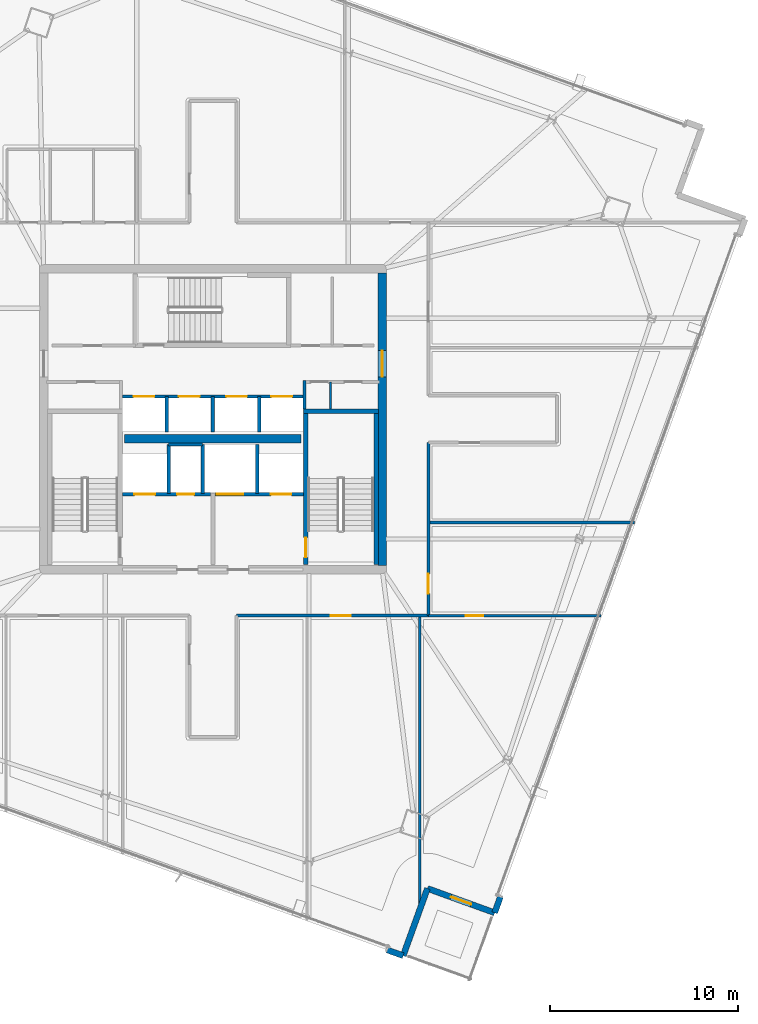
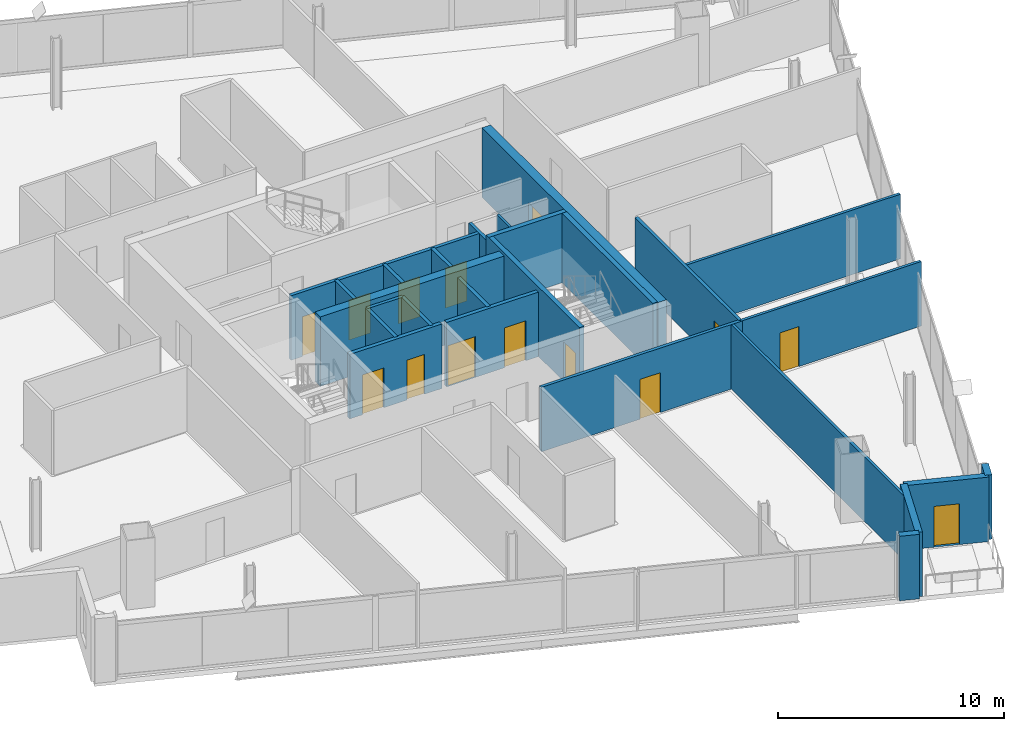
# One storey, part 20 of 27: 26 walls, 14 doors, 14 openings.
"""IFC4 building model written with IfcOpenShell, lengths in metres."""

from ifc_helpers import new_model, si_unit, direction, frame, frame_2d, origin, place, context, subcontext, project, spatial, rectangle, extrude, material, layer, layer_set, type_object, element, fill, save


model = new_model("IFC4")

# Units and contexts
model_context = context("Model", 3, precision=1e-05, world=origin(), true_north=direction((0.0, 1.0)))
body_context = subcontext(model_context, "Body", "Model", "MODEL_VIEW")
ifc_project = project(units=[si_unit("LENGTHUNIT", "METRE"), si_unit("AREAUNIT", "SQUARE_METRE"), si_unit("VOLUMEUNIT", "CUBIC_METRE"), si_unit("PLANEANGLEUNIT", "RADIAN"), si_unit("MASSUNIT", "GRAM", prefix="KILO")], contexts=[model_context])

# Site, building, storey
site_placement = place(None, origin())
site = spatial("IfcSite", under=ifc_project, at=site_placement, CompositionType="ELEMENT")
building_placement = place(site_placement, origin())
building = spatial("IfcBuilding", under=site, at=building_placement, Name="Haldenkirk Collegiate Tower", CompositionType="ELEMENT")
storey_placement = place(building_placement, frame((0.0, 0.0, 263.699951171875)))
storey = spatial("IfcBuildingStorey", under=building, at=storey_placement, Name="L66", CompositionType="ELEMENT", Elevation=263.699951171875)

# Wall, opening, door
ifc_material_1 = material(Name="Concrete f'c 55 MPa", Category="concrete")
ifc_layer_1 = layer(ifc_material_1, 0.449951171875)
ifc_layer_set_1 = layer_set([ifc_layer_1], Name="Concrete f'c 55 MPa")
wall_type_1 = type_object("IfcWallType", Name="WL-CORE-450", PredefinedType="SHEAR", material=ifc_layer_set_1)
wall_1_placement = place(storey_placement, frame((45.0, 18.22509765625, 0.0), z_axis=(0.0, 0.0, 1.0), x_axis=(0.0, 1.0, 0.0)))
wall_1 = element("IfcWall", 1, at=wall_1_placement, inside=storey, type_object=wall_type_1, Name="L66 central core shear wall E", PredefinedType="SHEAR", context=body_context, shape_type="SweptSolid", body=[
    extrude(rectangle(XDim=15.5498046875, YDim=0.449951171875, at=frame_2d((7.77490234375, 0.0))), origin(), (0.0, 0.0, 1.0), 3.75),
])
opening_1_placement = place(wall_1_placement, frame((10.014892578125, 0.0, 0.0)))
opening_1 = element("IfcOpeningElement", 2, at=opening_1_placement, cuts=wall_1, Name="Opening D-03", PredefinedType="OPENING", context=body_context, shape_type="SweptSolid", body=[
    extrude(rectangle(XDim=1.39990234375, YDim=2.199951171875, at=frame_2d((0.699951171875, 1.10009765625))), frame((0.0, 0.23486328125, 0.0), z_axis=(0.0, -1.0, 0.0), x_axis=(1.0, 0.0, 0.0)), (0.0, 0.0, 1.0), 0.469970703125),
])
ifc_material_2 = material(Name="Galvanized fire-rated hollow steel door", Category="steel")
ifc_layer_2 = layer(ifc_material_2, 0.06005859375)
ifc_layer_set_2 = layer_set([ifc_layer_2], Name="Galvanized fire-rated hollow steel door")
door_type_1 = type_object("IfcDoorType", Name="DR-LOBBY-FD90-1400", OperationType="NOTDEFINED", PredefinedType="DOOR", material=ifc_layer_set_2)
door_1_placement = place(opening_1_placement, origin())
door_1 = element("IfcDoor", 3, at=door_1_placement, inside=storey, type_object=door_type_1, Name="L66 east lift lobby portal", OperationType="DOUBLE_DOOR_SINGLE_SWING", OverallHeight=2.199951171875, OverallWidth=1.39990234375, PredefinedType="DOOR", context=body_context, shape_type="SweptSolid", body=[
    extrude(rectangle(XDim=1.39990234375, YDim=2.199951171875, at=frame_2d((0.699951171875, 1.10009765625))), frame((0.0, 0.02490234375, 0.0), z_axis=(0.0, -1.0, 0.0), x_axis=(1.0, 0.0, 0.0)), (0.0, 0.0, 1.0), 0.050048828125),
])
fill(opening_1, door_1)

# Walls
wall_2_placement = place(storey_placement, frame((31.31005859375, 24.949951171875, 0.0), z_axis=(0.0, 0.0, 1.0), x_axis=(1.0, 0.0, 0.0)))
element("IfcWall", 4, at=wall_2_placement, inside=storey, type_object=wall_type_1, Name="L66 central core spine shear wall", PredefinedType="SHEAR", context=body_context, shape_type="SweptSolid", body=[
    extrude(rectangle(XDim=9.3798828125, YDim=0.449951171875, at=frame_2d((4.68994140625, 0.0))), origin(), (0.0, 0.0, 1.0), 3.75),
])
ifc_material_3 = material(Name="Precast concrete f'c 40 MPa", Category="concrete")
ifc_layer_3 = layer(ifc_material_3, 0.320068359375)
ifc_layer_set_3 = layer_set([ifc_layer_3], Name="Precast concrete f'c 40 MPa")
wall_type_2 = type_object("IfcWallType", Name="WL-EXT-TWR-320", PredefinedType="STANDARD", material=ifc_layer_set_3)
wall_3_placement = place(storey_placement, frame((51.28369140625, 0.601318359375, 0.0), z_axis=(0.0, 0.0, 1.0), x_axis=(-0.339564485744, -0.940582776805, 0.0)))
element("IfcWall", 5, at=wall_3_placement, inside=storey, type_object=wall_type_2, Name="L66 precast corner pier SR", PredefinedType="STANDARD", context=body_context, shape_type="SweptSolid", body=[
    extrude(rectangle(XDim=0.900146484375, YDim=0.320068359375, at=frame_2d((0.4501953125, 0.0))), origin(), (0.0, 0.0, 1.0), 3.47998046875),
])
wall_4_placement = place(storey_placement, frame((46.113525390625, -2.529296875, 0.0), z_axis=(0.0, 0.0, 1.0), x_axis=(-0.940551492345, 0.339651130203, 0.0)))
element("IfcWall", 6, at=wall_4_placement, inside=storey, type_object=wall_type_2, Name="L66 precast corner pier WL", PredefinedType="STANDARD", context=body_context, shape_type="SweptSolid", body=[
    extrude(rectangle(XDim=0.89990234375, YDim=0.320068359375, at=frame_2d((0.449951171875, 0.0))), origin(), (0.0, 0.0, 1.0), 3.47998046875),
])
wall_5_placement = place(storey_placement, frame((47.40380859375, 1.044921875, 0.0), z_axis=(0.0, 0.0, 1.0), x_axis=(-0.339549734892, -0.940588101953, 0.0)))
element("IfcWall", 7, at=wall_5_placement, inside=storey, type_object=wall_type_2, Name="L66 bronze precast notch wall 11", PredefinedType="STANDARD", context=body_context, shape_type="SweptSolid", body=[
    extrude(rectangle(XDim=3.800048828125, YDim=0.320068359375, at=frame_2d((1.89990234375, 0.0))), origin(), (0.0, 0.0, 1.0), 3.47998046875),
])

# Wall, opening, door
wall_6_placement = place(storey_placement, frame((50.97802734375, -0.245361328125, 0.0), z_axis=(0.0, 0.0, 1.0), x_axis=(-0.940588101953, 0.339549734892, 0.0)))
wall_6 = element("IfcWall", 8, at=wall_6_placement, inside=storey, type_object=wall_type_2, Name="L66 bronze precast notch wall 12", PredefinedType="STANDARD", context=body_context, shape_type="SweptSolid", body=[
    extrude(rectangle(XDim=3.800048828125, YDim=0.320068359375, at=frame_2d((1.89990234375, 0.0))), origin(), (0.0, 0.0, 1.0), 3.47998046875),
])
opening_2_placement = place(wall_6_placement, frame((1.324951171875, 0.0, 0.0)))
opening_2 = element("IfcOpeningElement", 9, at=opening_2_placement, cuts=wall_6, Name="Opening D-ST11", PredefinedType="OPENING", context=body_context, shape_type="SweptSolid", body=[
    extrude(rectangle(XDim=1.14990234375, YDim=2.199951171875, at=frame_2d((0.574951171875, 1.10009765625))), frame((0.0, 0.169921875, 0.0), z_axis=(0.0, -1.0, 0.0), x_axis=(1.0, 0.0, 0.0)), (0.0, 0.0, 1.0), 0.340087890625),
])
ifc_material_4 = material(Name="Anodised architectural bronze aluminium", Category="aluminium")
ifc_layer_4 = layer(ifc_material_4, 0.080078125)
ifc_layer_set_4 = layer_set([ifc_layer_4], Name="Anodised architectural bronze aluminium")
door_type_2 = type_object("IfcDoorType", Name="DR-EXT-STER-1150", OperationType="NOTDEFINED", PredefinedType="DOOR", material=ifc_layer_set_4)
door_2_placement = place(opening_2_placement, origin())
door_2 = element("IfcDoor", 10, at=door_2_placement, inside=storey, type_object=door_type_2, Name="L66 spiralling terrace door", OperationType="SINGLE_SWING_LEFT", OverallHeight=2.199951171875, OverallWidth=1.14990234375, PredefinedType="DOOR", context=body_context, shape_type="SweptSolid", body=[
    extrude(rectangle(XDim=1.14990234375, YDim=2.199951171875, at=frame_2d((0.574951171875, 1.10009765625))), frame((0.0, 0.02490234375, 0.0), z_axis=(0.0, -1.0, 0.0), x_axis=(1.0, 0.0, 0.0)), (0.0, 0.0, 1.0), 0.050048828125),
])
fill(opening_2, door_2)

# Wall
ifc_material_5 = material(Name="Acoustic fire-rated gypsum partition", Category="concrete")
ifc_layer_5 = layer(ifc_material_5, 0.159912109375)
ifc_layer_set_5 = layer_set([ifc_layer_5], Name="Acoustic fire-rated gypsum partition")
wall_type_3 = type_object("IfcWallType", Name="WL-INT-CORR-160", PredefinedType="PARTITIONING", material=ifc_layer_set_5)
wall_7_placement = place(storey_placement, frame((40.8798828125, 26.5400390625, 0.0), z_axis=(0.0, 0.0, 1.0), x_axis=(0.0, 1.0, 0.0)))
element("IfcWall", 11, at=wall_7_placement, inside=storey, type_object=wall_type_3, Name="L66 interior partition IW-L66-VCSE-W", PredefinedType="PARTITIONING", context=body_context, shape_type="SweptSolid", body=[
    extrude(rectangle(XDim=1.510009765625, YDim=0.159912109375, at=frame_2d((0.7548828125, 0.0))), origin(), (0.0, 0.0, 1.0), 3.47998046875),
])

# Wall, opening, door
wall_8_placement = place(storey_placement, frame((37.25, 15.550048828125, 0.0), z_axis=(0.0, 0.0, 1.0), x_axis=(1.0, 0.0, 0.0)))
wall_8 = element("IfcWall", 12, at=wall_8_placement, inside=storey, type_object=wall_type_3, Name="L66 interior partition IW-L66-CS2", PredefinedType="PARTITIONING", context=body_context, shape_type="SweptSolid", body=[
    extrude(rectangle(XDim=10.25, YDim=0.159912109375, at=frame_2d((5.125, 0.0))), origin(), (0.0, 0.0, 1.0), 3.47998046875),
])
opening_3_placement = place(wall_8_placement, frame((5.02490234375, 0.0, 0.0)))
opening_3 = element("IfcOpeningElement", 13, at=opening_3_placement, cuts=wall_8, Name="Opening D-09", PredefinedType="OPENING", context=body_context, shape_type="SweptSolid", body=[
    extrude(rectangle(XDim=1.050048828125, YDim=2.14990234375, at=frame_2d((0.52490234375, 1.074951171875))), frame((0.0, 0.08984375, 0.0), z_axis=(0.0, -1.0, 0.0), x_axis=(1.0, 0.0, 0.0)), (0.0, 0.0, 1.0), 0.179931640625),
])
ifc_material_6 = material(Name="Solid-core architectural oak fire door", Category="wood")
ifc_layer_6 = layer(ifc_material_6, 0.06005859375)
ifc_layer_set_6 = layer_set([ifc_layer_6], Name="Solid-core architectural oak fire door")
door_type_3 = type_object("IfcDoorType", Name="DR-INT-FD60-1050", OperationType="NOTDEFINED", PredefinedType="DOOR", material=ifc_layer_set_6)
door_3_placement = place(opening_3_placement, origin())
door_3 = element("IfcDoor", 14, at=door_3_placement, inside=storey, type_object=door_type_3, Name="L66 Environmental Lab 4 door", OperationType="SINGLE_SWING_RIGHT", OverallHeight=2.14990234375, OverallWidth=1.050048828125, PredefinedType="DOOR", context=body_context, shape_type="SweptSolid", body=[
    extrude(rectangle(XDim=1.050048828125, YDim=2.14990234375, at=frame_2d((0.52490234375, 1.074951171875))), frame((0.0, 0.02490234375, 0.0), z_axis=(0.0, -1.0, 0.0), x_axis=(1.0, 0.0, 0.0)), (0.0, 0.0, 1.0), 0.050048828125),
])
fill(opening_3, door_3)

wall_9_placement = place(storey_placement, frame((47.449951171875, 15.550048828125, 0.0), z_axis=(0.0, 0.0, 1.0), x_axis=(0.0, 1.0, 0.0)))
wall_9 = element("IfcWall", 15, at=wall_9_placement, inside=storey, type_object=wall_type_3, Name="L66 interior partition IW-L66-CE1", PredefinedType="PARTITIONING", context=body_context, shape_type="SweptSolid", body=[
    extrude(rectangle(XDim=9.199951171875, YDim=0.159912109375, at=frame_2d((4.60009765625, 0.0))), origin(), (0.0, 0.0, 1.0), 3.47998046875),
])
opening_4_placement = place(wall_9_placement, frame((1.1650390625, 0.0, 0.0)))
opening_4 = element("IfcOpeningElement", 16, at=opening_4_placement, cuts=wall_9, Name="Opening D-09", PredefinedType="OPENING", context=body_context, shape_type="SweptSolid", body=[
    extrude(rectangle(XDim=1.050048828125, YDim=2.14990234375, at=frame_2d((0.52490234375, 1.074951171875))), frame((0.0, 0.08984375, 0.0), z_axis=(0.0, -1.0, 0.0), x_axis=(1.0, 0.0, 0.0)), (0.0, 0.0, 1.0), 0.179931640625),
])
door_4_placement = place(opening_4_placement, origin())
door_4 = element("IfcDoor", 17, at=door_4_placement, inside=storey, type_object=door_type_3, Name="L66 Robotics Fabrication Lab 9 door", OperationType="SINGLE_SWING_LEFT", OverallHeight=2.14990234375, OverallWidth=1.050048828125, PredefinedType="DOOR", context=body_context, shape_type="SweptSolid", body=[
    extrude(rectangle(XDim=1.050048828125, YDim=2.14990234375, at=frame_2d((0.52490234375, 1.074951171875))), frame((0.0, 0.02490234375, 0.0), z_axis=(0.0, -1.0, 0.0), x_axis=(1.0, 0.0, 0.0)), (0.0, 0.0, 1.0), 0.050048828125),
])
fill(opening_4, door_4)

ifc_layer_7 = layer(ifc_material_5, 0.139892578125)
ifc_layer_set_7 = layer_set([ifc_layer_7], Name="Acoustic fire-rated gypsum partition")
wall_type_4 = type_object("IfcWallType", Name="WL-INT-DIV-140", PredefinedType="PARTITIONING", material=ifc_layer_set_7)
wall_10_placement = place(storey_placement, frame((47.449951171875, 15.550048828125, 0.0), z_axis=(0.0, 0.0, 1.0), x_axis=(1.0, 0.0, 0.0)))
wall_10 = element("IfcWall", 18, at=wall_10_placement, inside=storey, type_object=wall_type_4, Name="L66 interior partition IW-L66-BES", PredefinedType="PARTITIONING", context=body_context, shape_type="SweptSolid", body=[
    extrude(rectangle(XDim=9.187744140625, YDim=0.139892578125, at=frame_2d((4.59375, 0.0))), origin(), (0.0, 0.0, 1.0), 3.47998046875),
])
opening_5_placement = place(wall_10_placement, frame((1.98291015625, 0.0, 0.0)))
opening_5 = element("IfcOpeningElement", 19, at=opening_5_placement, cuts=wall_10, Name="Opening D-12", PredefinedType="OPENING", context=body_context, shape_type="SweptSolid", body=[
    extrude(rectangle(XDim=0.949951171875, YDim=2.14990234375, at=frame_2d((0.47509765625, 1.074951171875))), frame((0.0, 0.079833984375, 0.0), z_axis=(0.0, -1.0, 0.0), x_axis=(1.0, 0.0, 0.0)), (0.0, 0.0, 1.0), 0.159912109375),
])
ifc_layer_8 = layer(ifc_material_6, 0.06005859375)
ifc_layer_set_8 = layer_set([ifc_layer_8], Name="Solid-core architectural oak fire door")
door_type_4 = type_object("IfcDoorType", Name="DR-INT-STD-950", OperationType="NOTDEFINED", PredefinedType="DOOR", material=ifc_layer_set_8)
door_5_placement = place(opening_5_placement, origin())
door_5 = element("IfcDoor", 20, at=door_5_placement, inside=storey, type_object=door_type_4, Name="L66 Optics Research Laboratory 5 door", OperationType="SINGLE_SWING_LEFT", OverallHeight=2.14990234375, OverallWidth=0.949951171875, PredefinedType="DOOR", context=body_context, shape_type="SweptSolid", body=[
    extrude(rectangle(XDim=0.949951171875, YDim=2.14990234375, at=frame_2d((0.47509765625, 1.074951171875))), frame((0.0, 0.02490234375, 0.0), z_axis=(0.0, -1.0, 0.0), x_axis=(1.0, 0.0, 0.0)), (0.0, 0.0, 1.0), 0.050048828125),
])
fill(opening_5, door_5)

# Walls
wall_11_placement = place(storey_placement, frame((47.0, 0.0439453125, 0.0), z_axis=(0.0, 0.0, 1.0), x_axis=(0.0, 1.0, 0.0)))
element("IfcWall", 21, at=wall_11_placement, inside=storey, type_object=wall_type_4, Name="L66 interior partition IW-L66-RS4", PredefinedType="PARTITIONING", context=body_context, shape_type="SweptSolid", body=[
    extrude(rectangle(XDim=15.506103515625, YDim=0.139892578125, at=frame_2d((7.7529296875, 0.0))), origin(), (0.0, 0.0, 1.0), 3.47998046875),
])
wall_12_placement = place(storey_placement, frame((47.449951171875, 20.5, 0.0), z_axis=(0.0, 0.0, 1.0), x_axis=(1.0, 0.0, 0.0)))
element("IfcWall", 22, at=wall_12_placement, inside=storey, type_object=wall_type_4, Name="L66 interior partition IW-L66-RE1", PredefinedType="PARTITIONING", context=body_context, shape_type="SweptSolid", body=[
    extrude(rectangle(XDim=10.974853515625, YDim=0.139892578125, at=frame_2d((5.4873046875, 0.0))), origin(), (0.0, 0.0, 1.0), 3.47998046875),
])
ifc_material_7 = material(Name="Fire-rated gypsum shaftboard assembly", Category="concrete")
ifc_layer_9 = layer(ifc_material_7, 0.179931640625)
ifc_layer_set_9 = layer_set([ifc_layer_9], Name="Fire-rated gypsum shaftboard assembly")
wall_type_5 = type_object("IfcWallType", Name="WL-INT-SHAFT-180", PredefinedType="PARTITIONING", material=ifc_layer_set_9)
for number, where, z_axis, x_axis, name in (
    (23, (33.64990234375, 22.050048828125, 0.0), (0.0, 0.0, 1.0), (0.0, 1.0, 0.0), "L66 interior partition IW-L66-FL1E"),
    (24, (35.449951171875, 22.050048828125, 0.0), (0.0, 0.0, 1.0), (0.0, 1.0, 0.0), "L66 interior partition IW-L66-GL1W"),
):
    element("IfcWall", number, at=place(storey_placement, frame(where, z_axis=z_axis, x_axis=x_axis)), inside=storey, type_object=wall_type_5, Name=name, PredefinedType="PARTITIONING", context=body_context, shape_type="SweptSolid", body=[
        extrude(rectangle(XDim=2.599853515625, YDim=0.179931640625, at=frame_2d((1.2998046875, 0.0))), origin(), (0.0, 0.0, 1.0), 3.47998046875),
    ])
wall_13_placement = place(storey_placement, frame((33.64990234375, 24.64990234375, 0.0), z_axis=(0.0, 0.0, 1.0), x_axis=(1.0, 0.0, 0.0)))
element("IfcWall", 25, at=wall_13_placement, inside=storey, type_object=wall_type_5, Name="L66 interior partition IW-L66-RSRN", PredefinedType="PARTITIONING", context=body_context, shape_type="SweptSolid", body=[
    extrude(rectangle(XDim=1.800048828125, YDim=0.179931640625, at=frame_2d((0.89990234375, 0.0))), origin(), (0.0, 0.0, 1.0), 3.47998046875),
])
wall_14_placement = place(storey_placement, frame((38.35009765625, 22.050048828125, 0.0), z_axis=(0.0, 0.0, 1.0), x_axis=(0.0, 1.0, 0.0)))
element("IfcWall", 26, at=wall_14_placement, inside=storey, type_object=wall_type_5, Name="L66 interior partition IW-L66-GL1E", PredefinedType="PARTITIONING", context=body_context, shape_type="SweptSolid", body=[
    extrude(rectangle(XDim=2.599853515625, YDim=0.179931640625, at=frame_2d((1.2998046875, 0.0))), origin(), (0.0, 0.0, 1.0), 3.47998046875),
])

# Wall, openings, doors
wall_15_placement = place(storey_placement, frame((31.199951171875, 27.199951171875, 0.0), z_axis=(0.0, 0.0, 1.0), x_axis=(1.0, 0.0, 0.0)))
wall_15 = element("IfcWall", 27, at=wall_15_placement, inside=storey, type_object=wall_type_5, Name="L66 interior partition IW-L66-PHN", PredefinedType="PARTITIONING", context=body_context, shape_type="SweptSolid", body=[
    extrude(rectangle(XDim=9.60009765625, YDim=0.179931640625, at=frame_2d((4.800048828125, 0.0))), origin(), (0.0, 0.0, 1.0), 3.47998046875),
])
opening_6_placement = place(wall_15_placement, frame((0.590087890625, 0.0, 0.0)))
opening_6 = element("IfcOpeningElement", 28, at=opening_6_placement, cuts=wall_15, Name="Opening LD-11", PredefinedType="OPENING", context=body_context, shape_type="SweptSolid", body=[
    extrude(rectangle(XDim=1.10009765625, YDim=2.14990234375, at=frame_2d((0.550048828125, 1.074951171875))), frame((0.0, 0.099853515625, 0.0), z_axis=(0.0, -1.0, 0.0), x_axis=(1.0, 0.0, 0.0)), (0.0, 0.0, 1.0), 0.199951171875),
])
opening_7_placement = place(wall_15_placement, frame((2.989990234375, 0.0, 0.0)))
opening_7 = element("IfcOpeningElement", 29, at=opening_7_placement, cuts=wall_15, Name="Opening LD-11", PredefinedType="OPENING", context=body_context, shape_type="SweptSolid", body=[
    extrude(rectangle(XDim=1.10009765625, YDim=2.14990234375, at=frame_2d((0.550048828125, 1.074951171875))), frame((0.0, 0.099853515625, 0.0), z_axis=(0.0, -1.0, 0.0), x_axis=(1.0, 0.0, 0.0)), (0.0, 0.0, 1.0), 0.199951171875),
])
opening_8_placement = place(wall_15_placement, frame((5.510009765625, 0.0, 0.0)))
opening_8 = element("IfcOpeningElement", 30, at=opening_8_placement, cuts=wall_15, Name="Opening LD-11", PredefinedType="OPENING", context=body_context, shape_type="SweptSolid", body=[
    extrude(rectangle(XDim=1.10009765625, YDim=2.14990234375, at=frame_2d((0.550048828125, 1.074951171875))), frame((0.0, 0.099853515625, 0.0), z_axis=(0.0, -1.0, 0.0), x_axis=(1.0, 0.0, 0.0)), (0.0, 0.0, 1.0), 0.199951171875),
])
opening_9_placement = place(wall_15_placement, frame((7.909912109375, 0.0, 0.0)))
opening_9 = element("IfcOpeningElement", 31, at=opening_9_placement, cuts=wall_15, Name="Opening LD-11", PredefinedType="OPENING", context=body_context, shape_type="SweptSolid", body=[
    extrude(rectangle(XDim=1.10009765625, YDim=2.14990234375, at=frame_2d((0.550048828125, 1.074951171875))), frame((0.0, 0.099853515625, 0.0), z_axis=(0.0, -1.0, 0.0), x_axis=(1.0, 0.0, 0.0)), (0.0, 0.0, 1.0), 0.199951171875),
])
ifc_material_8 = material(Name="Brushed architectural stainless steel", Category="steel")
ifc_layer_10 = layer(ifc_material_8, 0.06005859375)
ifc_layer_set_10 = layer_set([ifc_layer_10], Name="Brushed architectural stainless steel")
door_type_5 = type_object("IfcDoorType", Name="LD-PASS-1100", OperationType="NOTDEFINED", PredefinedType="DOOR", material=ifc_layer_set_10)
door_6_placement = place(opening_6_placement, origin())
door_6 = element("IfcDoor", 32, at=door_6_placement, inside=storey, type_object=door_type_5, Name="L66 Elevator PH1 sliding landing door", OperationType="SLIDING_TO_LEFT", OverallHeight=2.14990234375, OverallWidth=1.10009765625, PredefinedType="DOOR", context=body_context, shape_type="SweptSolid", body=[
    extrude(rectangle(XDim=1.10009765625, YDim=2.14990234375, at=frame_2d((0.550048828125, 1.074951171875))), frame((0.0, 0.02490234375, 0.0), z_axis=(0.0, -1.0, 0.0), x_axis=(1.0, 0.0, 0.0)), (0.0, 0.0, 1.0), 0.050048828125),
])
fill(opening_6, door_6)
door_7_placement = place(opening_7_placement, origin())
door_7 = element("IfcDoor", 33, at=door_7_placement, inside=storey, type_object=door_type_5, Name="L66 Elevator PH2 sliding landing door", OperationType="SLIDING_TO_LEFT", OverallHeight=2.14990234375, OverallWidth=1.10009765625, PredefinedType="DOOR", context=body_context, shape_type="SweptSolid", body=[
    extrude(rectangle(XDim=1.10009765625, YDim=2.14990234375, at=frame_2d((0.550048828125, 1.074951171875))), frame((0.0, 0.02490234375, 0.0), z_axis=(0.0, -1.0, 0.0), x_axis=(1.0, 0.0, 0.0)), (0.0, 0.0, 1.0), 0.050048828125),
])
fill(opening_7, door_7)
door_8_placement = place(opening_8_placement, origin())
door_8 = element("IfcDoor", 34, at=door_8_placement, inside=storey, type_object=door_type_5, Name="L66 Elevator PH3 sliding landing door", OperationType="SLIDING_TO_LEFT", OverallHeight=2.14990234375, OverallWidth=1.10009765625, PredefinedType="DOOR", context=body_context, shape_type="SweptSolid", body=[
    extrude(rectangle(XDim=1.10009765625, YDim=2.14990234375, at=frame_2d((0.550048828125, 1.074951171875))), frame((0.0, 0.02490234375, 0.0), z_axis=(0.0, -1.0, 0.0), x_axis=(1.0, 0.0, 0.0)), (0.0, 0.0, 1.0), 0.050048828125),
])
fill(opening_8, door_8)
door_9_placement = place(opening_9_placement, origin())
door_9 = element("IfcDoor", 35, at=door_9_placement, inside=storey, type_object=door_type_5, Name="L66 Elevator PH4 sliding landing door", OperationType="SLIDING_TO_LEFT", OverallHeight=2.14990234375, OverallWidth=1.10009765625, PredefinedType="DOOR", context=body_context, shape_type="SweptSolid", body=[
    extrude(rectangle(XDim=1.10009765625, YDim=2.14990234375, at=frame_2d((0.550048828125, 1.074951171875))), frame((0.0, 0.02490234375, 0.0), z_axis=(0.0, -1.0, 0.0), x_axis=(1.0, 0.0, 0.0)), (0.0, 0.0, 1.0), 0.050048828125),
])
fill(opening_9, door_9)

# Walls
for number, where, z_axis, x_axis, name in (
    (36, (33.5400390625, 25.300048828125, 0.0), (0.0, 0.0, 1.0), (0.0, 1.0, 0.0), "L66 interior partition IW-L66-PHV1"),
    (37, (36.0, 25.300048828125, 0.0), (0.0, 0.0, 1.0), (0.0, 1.0, 0.0), "L66 interior partition IW-L66-PHV2"),
    (38, (38.4599609375, 25.300048828125, 0.0), (0.0, 0.0, 1.0), (0.0, 1.0, 0.0), "L66 interior partition IW-L66-PHV3"),
):
    element("IfcWall", number, at=place(storey_placement, frame(where, z_axis=z_axis, x_axis=x_axis)), inside=storey, type_object=wall_type_5, Name=name, PredefinedType="PARTITIONING", context=body_context, shape_type="SweptSolid", body=[
        extrude(rectangle(XDim=1.89990234375, YDim=0.179931640625, at=frame_2d((0.949951171875, 0.0))), origin(), (0.0, 0.0, 1.0), 3.47998046875),
    ])

# Wall, openings, doors
ifc_layer_11 = layer(ifc_material_7, 0.199951171875)
ifc_layer_set_11 = layer_set([ifc_layer_11], Name="Fire-rated gypsum shaftboard assembly")
wall_type_6 = type_object("IfcWallType", Name="WL-INT-SHAFT-200", PredefinedType="PARTITIONING", material=ifc_layer_set_11)
wall_16_placement = place(storey_placement, frame((31.18994140625, 22.0, 0.0), z_axis=(0.0, 0.0, 1.0), x_axis=(1.0, 0.0, 0.0)))
wall_16 = element("IfcWall", 39, at=wall_16_placement, inside=storey, type_object=wall_type_6, Name="L66 interior partition IW-L66-FFL1N", PredefinedType="PARTITIONING", context=body_context, shape_type="SweptSolid", body=[
    extrude(rectangle(XDim=4.68994140625, YDim=0.199951171875, at=frame_2d((2.344970703125, 0.0))), origin(), (0.0, 0.0, 1.0), 3.47998046875),
])
opening_10_placement = place(wall_16_placement, frame((2.909912109375, 0.0, 0.0)))
opening_10 = element("IfcOpeningElement", 40, at=opening_10_placement, cuts=wall_16, Name="Opening D-06", PredefinedType="OPENING", context=body_context, shape_type="SweptSolid", body=[
    extrude(rectangle(XDim=0.89990234375, YDim=2.14990234375, at=frame_2d((0.449951171875, 1.074951171875))), frame((0.0, 0.10986328125, 0.0), z_axis=(0.0, -1.0, 0.0), x_axis=(1.0, 0.0, 0.0)), (0.0, 0.0, 1.0), 0.219970703125),
])
opening_11_placement = place(wall_16_placement, frame((0.635009765625, 0.0, 0.0)))
opening_11 = element("IfcOpeningElement", 41, at=opening_11_placement, cuts=wall_16, Name="Opening LD-12", PredefinedType="OPENING", context=body_context, shape_type="SweptSolid", body=[
    extrude(rectangle(XDim=1.10009765625, YDim=2.14990234375, at=frame_2d((0.550048828125, 1.074951171875))), frame((0.0, 0.10986328125, 0.0), z_axis=(0.0, -1.0, 0.0), x_axis=(1.0, 0.0, 0.0)), (0.0, 0.0, 1.0), 0.219970703125),
])
ifc_layer_12 = layer(ifc_material_2, 0.06005859375)
ifc_layer_set_12 = layer_set([ifc_layer_12], Name="Galvanized fire-rated hollow steel door")
door_type_6 = type_object("IfcDoorType", Name="DR-INT-FD90-900", OperationType="NOTDEFINED", PredefinedType="DOOR", material=ifc_layer_set_12)
door_10_placement = place(opening_10_placement, origin())
door_10 = element("IfcDoor", 42, at=door_10_placement, inside=storey, type_object=door_type_6, Name="L66 electrical riser door", OperationType="SINGLE_SWING_LEFT", OverallHeight=2.14990234375, OverallWidth=0.89990234375, PredefinedType="DOOR", context=body_context, shape_type="SweptSolid", body=[
    extrude(rectangle(XDim=0.89990234375, YDim=2.14990234375, at=frame_2d((0.449951171875, 1.074951171875))), frame((0.0, 0.02490234375, 0.0), z_axis=(0.0, -1.0, 0.0), x_axis=(1.0, 0.0, 0.0)), (0.0, 0.0, 1.0), 0.050048828125),
])
fill(opening_10, door_10)
ifc_layer_13 = layer(ifc_material_8, 0.06005859375)
ifc_layer_set_13 = layer_set([ifc_layer_13], Name="Brushed architectural stainless steel")
door_type_7 = type_object("IfcDoorType", Name="LD-FIRE-1100", OperationType="NOTDEFINED", PredefinedType="DOOR", material=ifc_layer_set_13)
door_11_placement = place(opening_11_placement, origin())
door_11 = element("IfcDoor", 43, at=door_11_placement, inside=storey, type_object=door_type_7, Name="L66 Elevator FL1 sliding landing door", OperationType="SLIDING_TO_LEFT", OverallHeight=2.14990234375, OverallWidth=1.10009765625, PredefinedType="DOOR", context=body_context, shape_type="SweptSolid", body=[
    extrude(rectangle(XDim=1.10009765625, YDim=2.14990234375, at=frame_2d((0.550048828125, 1.074951171875))), frame((0.0, 0.02490234375, 0.0), z_axis=(0.0, -1.0, 0.0), x_axis=(1.0, 0.0, 0.0)), (0.0, 0.0, 1.0), 0.050048828125),
])
fill(opening_11, door_11)

wall_17_placement = place(storey_placement, frame((36.1201171875, 22.0, 0.0), z_axis=(0.0, 0.0, 1.0), x_axis=(1.0, 0.0, 0.0)))
wall_17 = element("IfcWall", 44, at=wall_17_placement, inside=storey, type_object=wall_type_6, Name="L66 interior partition IW-L66-FFL2N", PredefinedType="PARTITIONING", context=body_context, shape_type="SweptSolid", body=[
    extrude(rectangle(XDim=4.68994140625, YDim=0.199951171875, at=frame_2d((2.344970703125, 0.0))), origin(), (0.0, 0.0, 1.0), 3.47998046875),
])
opening_12_placement = place(wall_17_placement, frame((2.955078125, 0.0, 0.0)))
opening_12 = element("IfcOpeningElement", 45, at=opening_12_placement, cuts=wall_17, Name="Opening LD-12", PredefinedType="OPENING", context=body_context, shape_type="SweptSolid", body=[
    extrude(rectangle(XDim=1.10009765625, YDim=2.14990234375, at=frame_2d((0.550048828125, 1.074951171875))), frame((0.0, 0.10986328125, 0.0), z_axis=(0.0, -1.0, 0.0), x_axis=(1.0, 0.0, 0.0)), (0.0, 0.0, 1.0), 0.219970703125),
])
opening_13_placement = place(wall_17_placement, frame((0.080078125, 0.0, 0.0)))
opening_13 = element("IfcOpeningElement", 46, at=opening_13_placement, cuts=wall_17, Name="Opening LD-13", PredefinedType="OPENING", context=body_context, shape_type="SweptSolid", body=[
    extrude(rectangle(XDim=1.39990234375, YDim=2.199951171875, at=frame_2d((0.699951171875, 1.10009765625))), frame((0.0, 0.10986328125, 0.0), z_axis=(0.0, -1.0, 0.0), x_axis=(1.0, 0.0, 0.0)), (0.0, 0.0, 1.0), 0.219970703125),
])
door_12_placement = place(opening_12_placement, origin())
door_12 = element("IfcDoor", 47, at=door_12_placement, inside=storey, type_object=door_type_7, Name="L66 Elevator FL2 sliding landing door", OperationType="SLIDING_TO_LEFT", OverallHeight=2.14990234375, OverallWidth=1.10009765625, PredefinedType="DOOR", context=body_context, shape_type="SweptSolid", body=[
    extrude(rectangle(XDim=1.10009765625, YDim=2.14990234375, at=frame_2d((0.550048828125, 1.074951171875))), frame((0.0, 0.02490234375, 0.0), z_axis=(0.0, -1.0, 0.0), x_axis=(1.0, 0.0, 0.0)), (0.0, 0.0, 1.0), 0.050048828125),
])
fill(opening_12, door_12)
ifc_layer_14 = layer(ifc_material_8, 0.06005859375)
ifc_layer_set_14 = layer_set([ifc_layer_14], Name="Brushed architectural stainless steel")
door_type_8 = type_object("IfcDoorType", Name="LD-GOODS-1400", OperationType="NOTDEFINED", PredefinedType="DOOR", material=ifc_layer_set_14)
door_13_placement = place(opening_13_placement, origin())
door_13 = element("IfcDoor", 48, at=door_13_placement, inside=storey, type_object=door_type_8, Name="L66 Elevator GL1 sliding landing door", OperationType="SLIDING_TO_LEFT", OverallHeight=2.199951171875, OverallWidth=1.39990234375, PredefinedType="DOOR", context=body_context, shape_type="SweptSolid", body=[
    extrude(rectangle(XDim=1.39990234375, YDim=2.199951171875, at=frame_2d((0.699951171875, 1.10009765625))), frame((0.0, 0.02490234375, 0.0), z_axis=(0.0, -1.0, 0.0), x_axis=(1.0, 0.0, 0.0)), (0.0, 0.0, 1.0), 0.050048828125),
])
fill(opening_13, door_13)

# Wall
ifc_layer_15 = layer(ifc_material_5, 0.1201171875)
ifc_layer_set_15 = layer_set([ifc_layer_15], Name="Acoustic fire-rated gypsum partition")
wall_type_7 = type_object("IfcWallType", Name="WL-INT-WET-120", PredefinedType="PARTITIONING", material=ifc_layer_set_15)
wall_18_placement = place(storey_placement, frame((42.25, 26.5400390625, 0.0), z_axis=(0.0, 0.0, 1.0), x_axis=(0.0, 1.0, 0.0)))
element("IfcWall", 49, at=wall_18_placement, inside=storey, type_object=wall_type_7, Name="L66 interior partition IW-L66-VCSE-M", PredefinedType="PARTITIONING", context=body_context, shape_type="SweptSolid", body=[
    extrude(rectangle(XDim=1.43994140625, YDim=0.1201171875, at=frame_2d((0.719970703125, 0.0))), origin(), (0.0, 0.0, 1.0), 3.47998046875),
])

# Wall, opening, door
ifc_layer_16 = layer(ifc_material_1, 0.239990234375)
ifc_layer_set_16 = layer_set([ifc_layer_16], Name="Concrete f'c 55 MPa")
wall_type_8 = type_object("IfcWallType", Name="WL-SHAFT-240", PredefinedType="SHEAR", material=ifc_layer_set_16)
wall_19_placement = place(storey_placement, frame((40.929931640625, 18.280029296875, 0.0), z_axis=(0.0, 0.0, 1.0), x_axis=(0.0, 1.0, 0.0)))
wall_19 = element("IfcWall", 50, at=wall_19_placement, inside=storey, type_object=wall_type_8, Name="L66 stair shaft shear wall SW-L66-ST2W", PredefinedType="SHEAR", context=body_context, shape_type="SweptSolid", body=[
    extrude(rectangle(XDim=8.260009765625, YDim=0.239990234375, at=frame_2d((4.1298828125, 0.0))), origin(), (0.0, 0.0, 1.0), 3.75),
])
opening_14_placement = place(wall_19_placement, frame((0.364990234375, 0.0, 0.0)))
opening_14 = element("IfcOpeningElement", 51, at=opening_14_placement, cuts=wall_19, Name="Opening D-01", PredefinedType="OPENING", context=body_context, shape_type="SweptSolid", body=[
    extrude(rectangle(XDim=1.050048828125, YDim=2.14990234375, at=frame_2d((0.52490234375, 1.074951171875))), frame((0.0, 0.1298828125, 0.0), z_axis=(0.0, -1.0, 0.0), x_axis=(1.0, 0.0, 0.0)), (0.0, 0.0, 1.0), 0.260009765625),
])
ifc_layer_17 = layer(ifc_material_2, 0.06005859375)
ifc_layer_set_17 = layer_set([ifc_layer_17], Name="Galvanized fire-rated hollow steel door")
door_type_9 = type_object("IfcDoorType", Name="DR-STAIR-FD90-1050", OperationType="NOTDEFINED", PredefinedType="DOOR", material=ifc_layer_set_17)
door_14_placement = place(opening_14_placement, origin())
door_14 = element("IfcDoor", 52, at=door_14_placement, inside=storey, type_object=door_type_9, Name="L66 Stair 2 door", OperationType="SINGLE_SWING_RIGHT", OverallHeight=2.14990234375, OverallWidth=1.050048828125, PredefinedType="DOOR", context=body_context, shape_type="SweptSolid", body=[
    extrude(rectangle(XDim=1.050048828125, YDim=2.14990234375, at=frame_2d((0.52490234375, 1.074951171875))), frame((0.0, 0.02490234375, 0.0), z_axis=(0.0, -1.0, 0.0), x_axis=(1.0, 0.0, 0.0)), (0.0, 0.0, 1.0), 0.050048828125),
])
fill(opening_14, door_14)

# Walls
wall_20_placement = place(storey_placement, frame((40.81005859375, 26.419921875, 0.0), z_axis=(0.0, 0.0, 1.0), x_axis=(1.0, 0.0, 0.0)))
element("IfcWall", 53, at=wall_20_placement, inside=storey, type_object=wall_type_8, Name="L66 stair shaft shear wall SW-L66-ST2N", PredefinedType="SHEAR", context=body_context, shape_type="SweptSolid", body=[
    extrude(rectangle(XDim=3.97998046875, YDim=0.239990234375, at=frame_2d((1.989990234375, 0.0))), origin(), (0.0, 0.0, 1.0), 3.75),
])
wall_21_placement = place(storey_placement, frame((44.669921875, 18.280029296875, 0.0), z_axis=(0.0, 0.0, 1.0), x_axis=(0.0, 1.0, 0.0)))
element("IfcWall", 54, at=wall_21_placement, inside=storey, type_object=wall_type_8, Name="L66 stair shaft shear wall SW-L66-ST2E", PredefinedType="SHEAR", context=body_context, shape_type="SweptSolid", body=[
    extrude(rectangle(XDim=8.260009765625, YDim=0.239990234375, at=frame_2d((4.1298828125, 0.0))), origin(), (0.0, 0.0, 1.0), 3.75),
])

save(model, "model.ifc")
